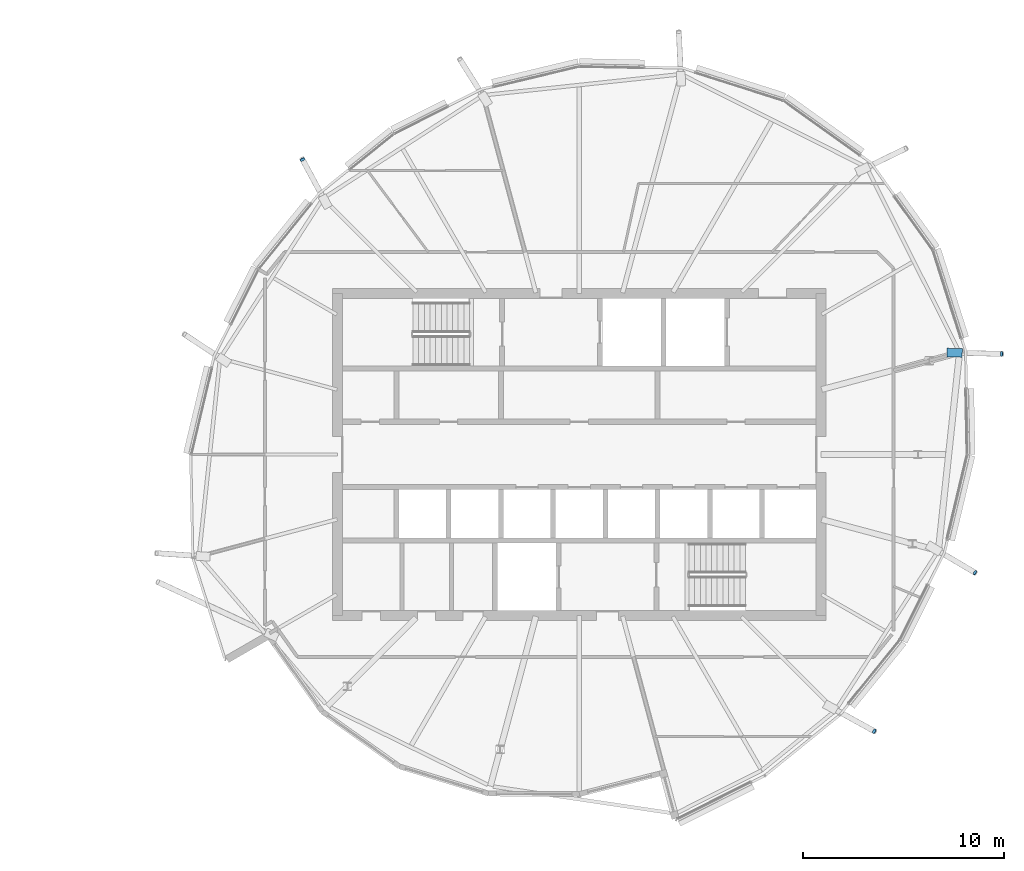
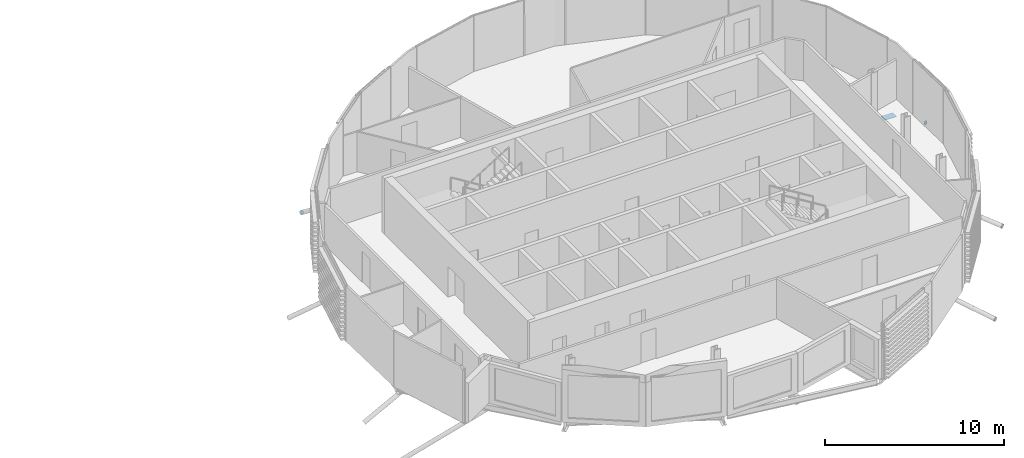
# One storey, part 26 of 33: 5 discrete accessories.
"""IFC4 building model written with IfcOpenShell, lengths in metres."""

from ifc_helpers import new_model, si_unit, direction, frame, origin, origin_2d, place, context, subcontext, project, spatial, polyline, rectangle, circle, outline, extrude, material, material_profile, profile_set, type_object, element, save


model = new_model("IFC4")

# Units and contexts
model_context = context("Model", 3, precision=1e-05, world=origin(), true_north=direction((0.0, 1.0)))
body_context = subcontext(model_context, "Body", "Model", "MODEL_VIEW")
ifc_project = project(units=[si_unit("LENGTHUNIT", "METRE"), si_unit("AREAUNIT", "SQUARE_METRE"), si_unit("VOLUMEUNIT", "CUBIC_METRE"), si_unit("PLANEANGLEUNIT", "RADIAN"), si_unit("MASSUNIT", "GRAM", prefix="KILO")], contexts=[model_context])

# Site, building, storey
site_placement = place(None, origin())
site = spatial("IfcSite", under=ifc_project, at=site_placement, CompositionType="ELEMENT")
building_placement = place(site_placement, origin())
building = spatial("IfcBuilding", under=site, at=building_placement, Name="Rimbun Link Towers", CompositionType="ELEMENT")
storey_placement = place(building_placement, frame((0.0, 0.0, 237.10009765625)))
storey = spatial("IfcBuildingStorey", under=building, at=storey_placement, Name="L58", CompositionType="ELEMENT", Elevation=237.10009765625)

# Discrete accessories
ifc_material_1 = material(Name="Steel S355J2H", Category="steel")
ifc_material_profile_1 = material_profile(ifc_material_1, circle(Radius=0.1240234375, at=origin_2d()), Name="PL D248")
ifc_profile_set_1 = profile_set([ifc_material_profile_1], Name="Steel S355J2H")
discrete_accessory_type_1 = type_object("IfcDiscreteAccessoryType", Name="Link foot sealing plate D248X20", PredefinedType="BRACKET", material=ifc_profile_set_1)
discrete_accessory_1_placement = place(storey_placement, frame((18.013916015625, 14.639892578125, -2.01708984375), z_axis=(-0.391497724761, 0.746292537825, -0.538309371546), x_axis=(-0.885547225338, -0.464549364112, 0.0)))
element("IfcDiscreteAccessory", 1, at=discrete_accessory_1_placement, inside=storey, type_object=discrete_accessory_type_1, Name="Link foot sealing plate T2 L58 06", PredefinedType="BRACKET", context=body_context, shape_type="SweptSolid", body=[
    extrude(circle(Radius=0.1240234375, at=origin_2d()), origin(), (0.0, 0.0, 1.0), 0.02001953125),
])
for number, where, z_axis, x_axis, name in (
    (2, (46.392578125, -13.73388671875, -2.024658203125), (0.74853669426, -0.41721717385, -0.515385920638), (0.486858256227, 0.873480989114, 0.0), "Link foot sealing plate T2 L58 18"),
    (3, (51.39208984375, -5.86181640625, -2.197509765625), (0.764210060196, -0.456060842375, -0.456060842375), (0.512457509479, 0.858712583452, 0.0), "Link foot sealing plate T2 L58 20"),
):
    element("IfcDiscreteAccessory", number, at=place(storey_placement, frame(where, z_axis=z_axis, x_axis=x_axis)), inside=storey, type_object=discrete_accessory_type_1, Name=name, PredefinedType="BRACKET", context=body_context, shape_type="SweptSolid", body=[
        extrude(circle(Radius=0.1240234375, at=origin_2d()), origin(), (0.0, 0.0, 1.0), 0.019775390625),
    ])
discrete_accessory_2_placement = place(storey_placement, frame((52.71435546875, 4.9951171875, -2.194091796875), z_axis=(0.891903506248, -0.01221785625, -0.452060681249), x_axis=(0.013697345027, 0.999906186969, 0.0)))
element("IfcDiscreteAccessory", 4, at=discrete_accessory_2_placement, inside=storey, type_object=discrete_accessory_type_1, Name="Link foot sealing plate T2 L58 22", PredefinedType="BRACKET", context=body_context, shape_type="SweptSolid", body=[
    extrude(circle(Radius=0.1240234375, at=origin_2d()), origin(), (0.0, 0.0, 1.0), 0.02001953125),
])
ifc_material_2 = material(Name="Steel S355J2H", Category="steel")
ifc_material_profile_2 = material_profile(ifc_material_2, rectangle(XDim=0.43310546875, YDim=0.43310546875, at=origin_2d()), Name="PL 433x433")
ifc_profile_set_2 = profile_set([ifc_material_profile_2], Name="Steel S355J2H")
discrete_accessory_type_2 = type_object("IfcDiscreteAccessoryType", Name="Link head end plate 433X20", PredefinedType="BRACKET", material=ifc_profile_set_2)
discrete_accessory_3_placement = place(storey_placement, frame((0.0, 0.0, -1.000732421875)))
element("IfcDiscreteAccessory", 5, at=discrete_accessory_3_placement, inside=storey, type_object=discrete_accessory_type_2, Name="Link head end plate T2 L58 22", PredefinedType="BRACKET", context=body_context, shape_type="SweptSolid", body=[
    extrude(outline(polyline([(50.001708984375, 4.84375), (50.76025390625, 4.82568359375), (50.770751953125, 5.25830078125), (50.01220703125, 5.276611328125), (50.001708984375, 4.84375)])), origin(), (0.0, 0.0, 1.0), 0.02001953125),
])

save(model, "model.ifc")
